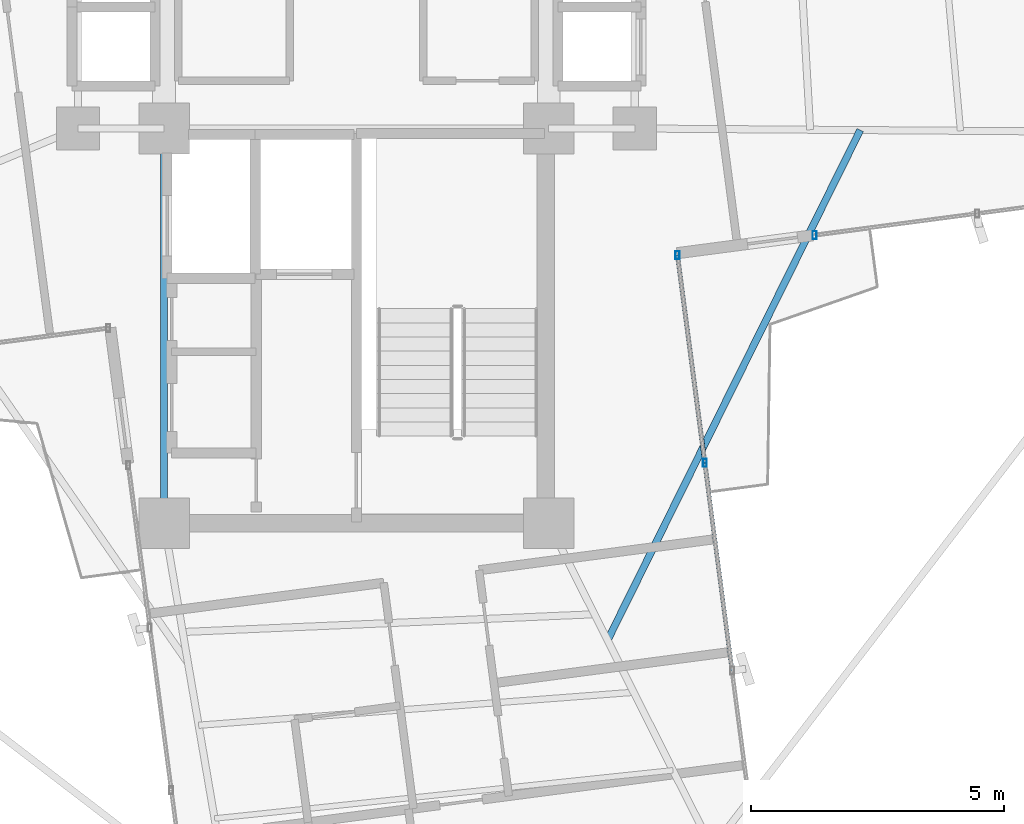
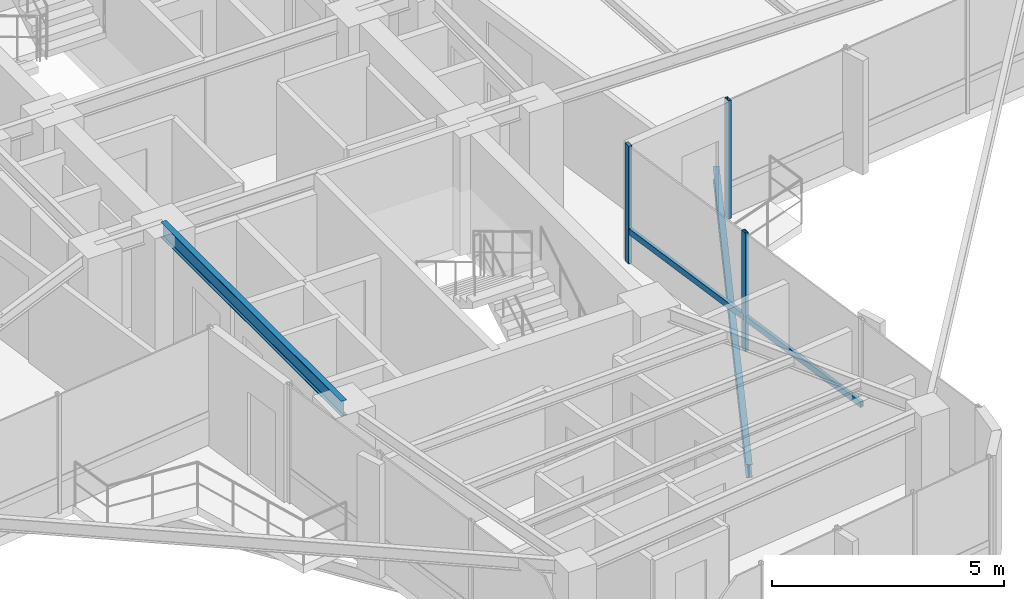
# One storey, part 5 of 21: 5 members, 2 beams, 2 elements without a shape of their own.
"""IFC4 building model written with IfcOpenShell, lengths in metres."""

from ifc_helpers import new_model, si_unit, direction, frame, origin, origin_2d, place, context, subcontext, project, spatial, hollow_rectangle, i_section, extrude, source, transform, mapped, material, material_profile, profile_set, type_object, element, aggregate, save


model = new_model("IFC4")

# Units and contexts
model_context = context("Model", 3, precision=1e-05, world=origin(), true_north=direction((0.0, 1.0)))
body_context = subcontext(model_context, "Body", "Model", "MODEL_VIEW")
ifc_project = project(units=[si_unit("LENGTHUNIT", "METRE"), si_unit("AREAUNIT", "SQUARE_METRE"), si_unit("VOLUMEUNIT", "CUBIC_METRE"), si_unit("PLANEANGLEUNIT", "RADIAN"), si_unit("MASSUNIT", "GRAM", prefix="KILO")], contexts=[model_context])

# Site, building, storey
site_placement = place(None, origin())
site = spatial("IfcSite", under=ifc_project, at=site_placement, CompositionType="ELEMENT")
building_placement = place(site_placement, origin())
building = spatial("IfcBuilding", under=site, at=building_placement, Name="Sahyath Konkavel Grand Hotel", CompositionType="ELEMENT")
storey_placement = place(building_placement, frame((0.0, 0.0, 213.199951171875)))
storey = spatial("IfcBuildingStorey", under=building, at=storey_placement, Name="L59", CompositionType="ELEMENT", Elevation=213.199951171875)

# Beam
ifc_material_1 = material(Name="Steel E350", Category="steel")
ifc_material_profile_1 = material_profile(ifc_material_1, i_section(OverallWidth=0.139892578125, OverallDepth=0.39990234375, WebThickness=0.0087890625, FlangeThickness=0.01611328125, FilletRadius=0.013916015625, at=origin_2d()), Name="ISMB 400")
ifc_profile_set_1 = profile_set([ifc_material_profile_1], Name="Steel E350")
beam_type_1 = type_object("IfcBeamType", Name="BM-ISMB400", PredefinedType="BEAM", material=ifc_profile_set_1)
shared_shape_1 = source(origin(), body_context, "Body", "SweptSolid", [
    extrude(i_section(OverallWidth=0.139892578125, OverallDepth=0.39990234375, WebThickness=0.0087890625, FlangeThickness=0.01611328125, FilletRadius=0.013916015625, at=origin_2d()), origin(), (0.0, 0.0, 1.0), 7.800048828125),
])
beam_1_placement = place(storey_placement, frame((-3.800048828125, -10.199951171875, 2.91015625), z_axis=(0.0, 1.0, 0.0), x_axis=(-1.0, 0.0, 0.0)))
element("IfcBeam", 1, at=beam_1_placement, inside=storey, type_object=beam_type_1, Name="str:bm:L59:SC-W", PredefinedType="BEAM", context=body_context, shape_type="MappedRepresentation", body=[
    mapped(shared_shape_1, transform((0.0, 0.0, 0.0), scale=1.0)),
])

# Curtain wall, member
ifc_material_2 = material(Name="Anodised Bronze Aluminium & Low-E Glazing", Category="aluminium")
curtain_wall_type = type_object("IfcCurtainWallType", Name="CW-ZONE4", PredefinedType="NOTDEFINED", material=ifc_material_2)
curtain_wall_1_placement = place(storey_placement, origin())
curtain_wall_1 = element("IfcCurtainWall", 2, at=curtain_wall_1_placement, inside=storey, type_object=curtain_wall_type, Name="L59 Unitised Curtain Wall F0", PredefinedType="NOTDEFINED")
ifc_material_3 = material(Name="Anodised Bronze Aluminium", Category="aluminium")
ifc_material_profile_2 = material_profile(ifc_material_3, hollow_rectangle(XDim=0.080078125, YDim=0.159912109375, WallThickness=0.006103515625, at=origin_2d()), Name="RHS 160x80x6")
ifc_profile_set_2 = profile_set([ifc_material_profile_2], Name="Anodised Bronze Aluminium")
member_type_1 = type_object("IfcMemberType", Name="CW-MUL-160", PredefinedType="MULLION", material=ifc_profile_set_2)
shared_shape_2 = source(origin(), body_context, "Body", "SweptSolid", [
    extrude(hollow_rectangle(XDim=0.080078125, YDim=0.159912109375, WallThickness=0.006103515625, at=origin_2d()), origin(), (0.0, 0.0, 1.0), 3.110107421875),
])
member_1_placement = place(storey_placement, frame((9.0556640625, -4.506591796875, 0.0), z_axis=(0.0, 0.0, 1.0), x_axis=(1.0, 0.0, 0.0)))
member_1 = element("IfcMember", 3, at=member_1_placement, type_object=member_type_1, Name="L59 Curtain Wall Mullion F0-0", PredefinedType="MULLION", context=body_context, shape_type="MappedRepresentation", body=[
    mapped(shared_shape_2, transform((0.0, 0.0, 0.0), scale=1.0)),
])
aggregate(curtain_wall_1, [member_1])

# Curtain wall, members
curtain_wall_2_placement = place(storey_placement, origin())
curtain_wall_2 = element("IfcCurtainWall", 4, at=curtain_wall_2_placement, inside=storey, type_object=curtain_wall_type, Name="L59 Unitised Curtain Wall F31", PredefinedType="NOTDEFINED")
member_2_placement = place(storey_placement, frame((6.884765625, -9.008544921875, 0.0), z_axis=(0.0, 0.0, 1.0), x_axis=(1.0, 0.0, 0.0)))
member_2 = element("IfcMember", 5, at=member_2_placement, type_object=member_type_1, Name="L59 Curtain Wall Mullion F31-2", PredefinedType="MULLION", context=body_context, shape_type="MappedRepresentation", body=[
    mapped(shared_shape_2, transform((0.0, 0.0, 0.0), scale=1.0)),
])
member_3_placement = place(storey_placement, frame((6.34423828125, -4.90380859375, 0.0), z_axis=(0.0, 0.0, 1.0), x_axis=(1.0, 0.0, 0.0)))
member_3 = element("IfcMember", 6, at=member_3_placement, type_object=member_type_1, Name="L59 Curtain Wall Mullion F31-3", PredefinedType="MULLION", context=body_context, shape_type="MappedRepresentation", body=[
    mapped(shared_shape_2, transform((0.0, 0.0, 0.0), scale=1.0)),
])
ifc_material_profile_3 = material_profile(ifc_material_3, hollow_rectangle(XDim=0.080078125, YDim=0.159912109375, WallThickness=0.006103515625, at=origin_2d()), Name="RHS 160x80x6")
ifc_profile_set_3 = profile_set([ifc_material_profile_3], Name="Anodised Bronze Aluminium")
member_type_2 = type_object("IfcMemberType", Name="CW-TRN-160", PredefinedType="USERDEFINED", material=ifc_profile_set_3)
shared_shape_3 = source(origin(), body_context, "Body", "SweptSolid", [
    extrude(hollow_rectangle(XDim=0.080078125, YDim=0.159912109375, WallThickness=0.006103515625, at=origin_2d()), origin(), (0.0, 0.0, 1.0), 4.139892578125),
])
member_4_placement = place(storey_placement, frame((7.425048828125, -13.113037109375, 0.85009765625), z_axis=(-0.130506379383, 0.991447469582, 0.0), x_axis=(-0.991447469582, -0.130506379383, 0.0)))
member_4 = element("IfcMember", 7, at=member_4_placement, type_object=member_type_2, Name="L59 Curtain Wall Transom F31-1-spandrel", ObjectType="TRANSOM", PredefinedType="USERDEFINED", context=body_context, shape_type="MappedRepresentation", body=[
    mapped(shared_shape_3, transform((0.0, 0.0, 0.0), scale=1.0)),
])
shared_shape_4 = source(origin(), body_context, "Body", "SweptSolid", [
    extrude(hollow_rectangle(XDim=0.080078125, YDim=0.159912109375, WallThickness=0.006103515625, at=origin_2d()), origin(), (0.0, 0.0, 1.0), 4.14013671875),
])
member_5_placement = place(storey_placement, frame((6.884765625, -9.008544921875, 0.85009765625), z_axis=(-0.130556713596, 0.99144084268, 0.0), x_axis=(-0.99144084268, -0.130556713596, 0.0)))
member_5 = element("IfcMember", 8, at=member_5_placement, type_object=member_type_2, Name="L59 Curtain Wall Transom F31-2-spandrel", ObjectType="TRANSOM", PredefinedType="USERDEFINED", context=body_context, shape_type="MappedRepresentation", body=[
    mapped(shared_shape_4, transform((0.0, 0.0, 0.0), scale=1.0)),
])
aggregate(curtain_wall_2, [member_2, member_3, member_4, member_5])

# Beam
ifc_material_profile_4 = material_profile(ifc_material_1, i_section(OverallWidth=0.139892578125, OverallDepth=0.35009765625, WebThickness=0.008056640625, FlangeThickness=0.01416015625, FilletRadius=0.013916015625, at=origin_2d()), Name="ISMB 350")
ifc_profile_set_4 = profile_set([ifc_material_profile_4], Name="Steel E350")
beam_type_2 = type_object("IfcBeamType", Name="BM-BALC-CANT", PredefinedType="BEAM", material=ifc_profile_set_4)
shared_shape_5 = source(origin(), body_context, "Body", "SweptSolid", [
    extrude(i_section(OverallWidth=0.139892578125, OverallDepth=0.35009765625, WebThickness=0.008056640625, FlangeThickness=0.01416015625, FilletRadius=0.013916015625, at=origin_2d()), origin(), (0.0, 0.0, 1.0), 11.25),
])
beam_2_placement = place(storey_placement, frame((4.962890625, -12.512939453125, -0.4150390625), z_axis=(0.443833696027, 0.896109173188, 0.0), x_axis=(-0.896109173188, 0.443833696027, 0.0)))
element("IfcBeam", 9, at=beam_2_placement, inside=storey, type_object=beam_type_2, Name="L59 Balcony Cantilever Support Beam SE", PredefinedType="BEAM", context=body_context, shape_type="MappedRepresentation", body=[
    mapped(shared_shape_5, transform((0.0, 0.0, 0.0), scale=1.0)),
])

save(model, "model.ifc")
